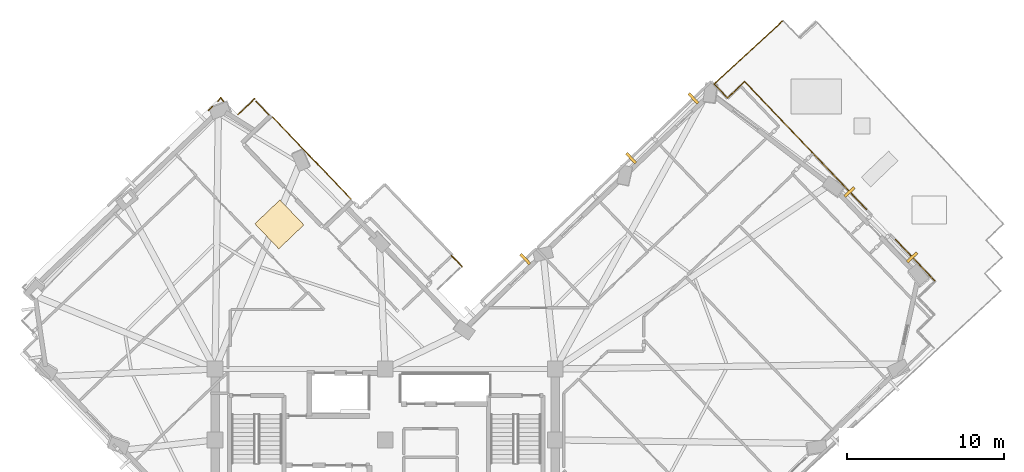
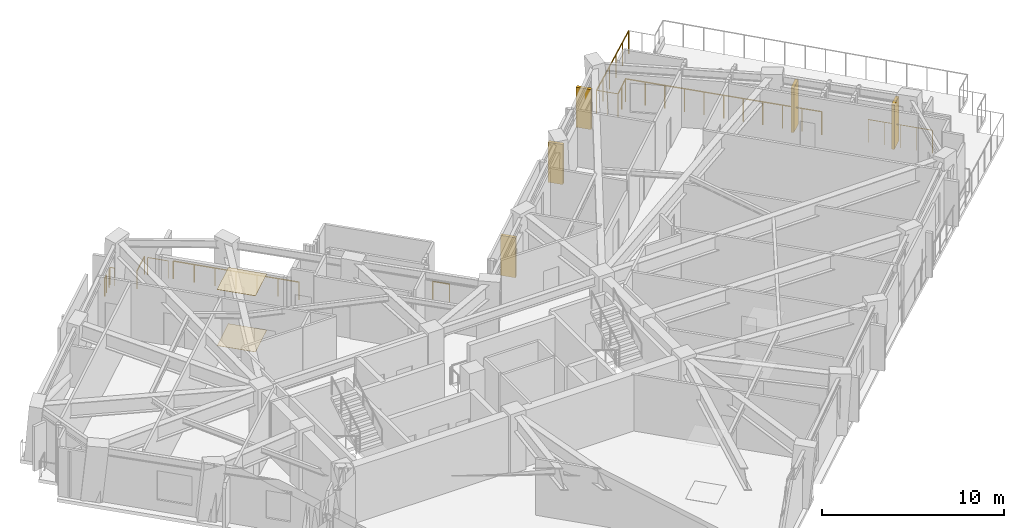
# One storey, part 16 of 17: 11 railings, 5 shading devices, 2 coverings.
"""IFC4 building model written with IfcOpenShell, lengths in metres."""

from ifc_helpers import new_model, si_unit, direction, frame, origin, origin_2d, place, context, subcontext, project, spatial, rectangle, circle, extrude, material, layer, layer_set, type_object, element, save


model = new_model("IFC4")

# Units and contexts
model_context = context("Model", 3, precision=1e-05, world=origin(), true_north=direction((0.0, 1.0)))
body_context = subcontext(model_context, "Body", "Model", "MODEL_VIEW")
ifc_project = project(units=[si_unit("LENGTHUNIT", "METRE"), si_unit("AREAUNIT", "SQUARE_METRE"), si_unit("VOLUMEUNIT", "CUBIC_METRE"), si_unit("PLANEANGLEUNIT", "RADIAN"), si_unit("MASSUNIT", "GRAM", prefix="KILO")], contexts=[model_context])

# Site, building, storey
site_placement = place(None, origin())
site = spatial("IfcSite", under=ifc_project, at=site_placement, CompositionType="ELEMENT")
building_placement = place(site_placement, origin())
building = spatial("IfcBuilding", under=site, at=building_placement, Name="Gaonmaruhae Medical Tower", CompositionType="ELEMENT")
storey_placement = place(building_placement, frame((0.0, 0.0, 211.199951171875)))
storey = spatial("IfcBuildingStorey", under=building, at=storey_placement, Name="L50", CompositionType="ELEMENT", Elevation=211.199951171875)

# Coverings
ifc_material_1 = material(Name="Acoustic mineral ceiling tile", Category="finish")
ifc_layer_1 = layer(ifc_material_1, 0.02490234375)
ifc_layer_set_1 = layer_set([ifc_layer_1], Name="Acoustic mineral ceiling tile")
covering_type_1 = type_object("IfcCoveringType", Name="CLG-01 Antimicrobial Acoustic Mineral Ceiling", PredefinedType="CEILING", material=ifc_layer_set_1)
covering_1_placement = place(storey_placement, frame((18.081298828125, 25.986083984375, 3.755126953125), z_axis=(0.0, 0.0, 1.0), x_axis=(0.72296714591, 0.690882411077, 0.0)))
element("IfcCovering", 1, at=covering_1_placement, inside=storey, type_object=covering_type_1, Name="L50 Clinical Corridor Acoustic Ceiling", PredefinedType="CEILING", context=body_context, shape_type="SweptSolid", body=[
    extrude(rectangle(XDim=2.199951171875, YDim=2.199951171875, at=origin_2d()), origin(), (0.0, 0.0, 1.0), 0.02490234375),
])
ifc_material_2 = material(Name="Seamless clinical vinyl flooring", Category="finish")
ifc_layer_2 = layer(ifc_material_2, 0.014892578125)
ifc_layer_set_2 = layer_set([ifc_layer_2], Name="Seamless clinical vinyl flooring")
covering_type_2 = type_object("IfcCoveringType", Name="FLR-01 Seamless Clinical Antistatic Vinyl Flooring", PredefinedType="FLOORING", material=ifc_layer_set_2)
covering_2_placement = place(storey_placement, frame((18.081298828125, 25.986083984375, 0.00048828125), z_axis=(0.0, 0.0, 1.0), x_axis=(0.72296714591, 0.690882411077, 0.0)))
element("IfcCovering", 2, at=covering_2_placement, inside=storey, type_object=covering_type_2, Name="L50 Clinical Corridor Vinyl Flooring", PredefinedType="FLOORING", context=body_context, shape_type="SweptSolid", body=[
    extrude(rectangle(XDim=2.199951171875, YDim=2.199951171875, at=origin_2d()), origin(), (0.0, 0.0, 1.0), 0.014892578125),
])

# Railings
ifc_material_3 = material(Name="Stainless steel 316L and laminated safety glass", Category="steel")
ifc_layer_3 = layer(ifc_material_3, 0.080078125)
ifc_layer_set_3 = layer_set([ifc_layer_3], Name="Stainless steel 316L and laminated safety glass")
railing_type_1 = type_object("IfcRailingType", Name="GD-120 Outdoor Terrace Safety Glass & Steel Balustrade", PredefinedType="BALUSTRADE", material=ifc_layer_set_3)
railing_1_placement = place(storey_placement, frame((22.629638671875, 27.59521484375, 0.0)))
element("IfcRailing", 3, at=railing_1_placement, inside=storey, type_object=railing_type_1, Name="L50 Terrace Safety Guard RL-SLB-L50-TER-02", PredefinedType="BALUSTRADE", context=body_context, shape_type="SweptSolid", body=[
    extrude(circle(Radius=0.02392578125, at=origin_2d()), frame((0.0, 0.0, 1.17578125), z_axis=(-0.690868406427, 0.722980528784, 0.0), x_axis=(-0.722980528784, -0.690868406427, 0.0)), (0.0, 0.0, 1.0), 7.19970703125),
    extrude(circle(Radius=0.02099609375, at=origin_2d()), origin(), (0.0, 0.0, 1.0), 1.15185546875),
    extrude(circle(Radius=0.02099609375, at=origin_2d()), frame((-0.8291015625, 0.86767578125, 0.0)), (0.0, 0.0, 1.0), 1.15185546875),
    extrude(circle(Radius=0.02099609375, at=origin_2d()), frame((-1.657958984375, 1.735107421875, 0.0)), (0.0, 0.0, 1.0), 1.15185546875),
    extrude(circle(Radius=0.02099609375, at=origin_2d()), frame((-2.487060546875, 2.6025390625, 0.0)), (0.0, 0.0, 1.0), 1.15185546875),
    extrude(circle(Radius=0.02099609375, at=origin_2d()), frame((-3.316162109375, 3.47021484375, 0.0)), (0.0, 0.0, 1.0), 1.15185546875),
    extrude(circle(Radius=0.02099609375, at=origin_2d()), frame((-4.14501953125, 4.337890625, 0.0)), (0.0, 0.0, 1.0), 1.15185546875),
    extrude(circle(Radius=0.02099609375, at=origin_2d()), frame((-4.97412109375, 5.205322265625, 0.0)), (0.0, 0.0, 1.0), 1.15185546875),
])
railing_2_placement = place(storey_placement, frame((13.575927734375, 33.231689453125, 0.0)))
element("IfcRailing", 4, at=railing_2_placement, inside=storey, type_object=railing_type_1, Name="L50 Perimeter Slab Edge Safety Balustrade 09", PredefinedType="BALUSTRADE", context=body_context, shape_type="SweptSolid", body=[
    extrude(circle(Radius=0.02392578125, at=origin_2d()), frame((0.0, 0.0, 1.17578125), z_axis=(0.723142723329, 0.69069863305, 0.0), x_axis=(-0.69069863305, 0.723142723329, 0.0)), (0.0, 0.0, 1.0), 0.338623046875),
    extrude(circle(Radius=0.02099609375, at=origin_2d()), origin(), (0.0, 0.0, 1.0), 1.15185546875),
    extrude(circle(Radius=0.02099609375, at=origin_2d()), frame((0.244873046875, 0.23388671875, 0.0)), (0.0, 0.0, 1.0), 1.15185546875),
])
railing_3_placement = place(storey_placement, frame((15.459228515625, 32.95654296875, 0.0)))
element("IfcRailing", 5, at=railing_3_placement, inside=storey, type_object=railing_type_1, Name="L50 Perimeter Slab Edge Safety Balustrade 10", PredefinedType="BALUSTRADE", context=body_context, shape_type="SweptSolid", body=[
    extrude(circle(Radius=0.02392578125, at=origin_2d()), frame((0.0, 0.0, 1.17578125), z_axis=(0.723059362607, 0.69078589892, 0.0), x_axis=(-0.69078589892, 0.723059362607, 0.0)), (0.0, 0.0, 1.0), 1.4599609375),
    extrude(circle(Radius=0.02099609375, at=origin_2d()), origin(), (0.0, 0.0, 1.0), 1.15185546875),
    extrude(circle(Radius=0.02099609375, at=origin_2d()), frame((1.0556640625, 1.008544921875, 0.0)), (0.0, 0.0, 1.0), 1.15185546875),
])
railing_4_placement = place(storey_placement, frame((16.60986328125, 33.793212890625, 0.0)))
element("IfcRailing", 6, at=railing_4_placement, inside=storey, type_object=railing_type_1, Name="L50 Perimeter Slab Edge Safety Balustrade 11", PredefinedType="BALUSTRADE", context=body_context, shape_type="SweptSolid", body=[
    extrude(circle(Radius=0.02392578125, at=origin_2d()), frame((0.0, 0.0, 1.17578125), z_axis=(0.690997141986, -0.722857489251, 0.0), x_axis=(0.722857489251, 0.690997141986, 0.0)), (0.0, 0.0, 1.0), 1.18017578125),
    extrude(circle(Radius=0.02099609375, at=origin_2d()), origin(), (0.0, 0.0, 1.0), 1.15185546875),
    extrude(circle(Radius=0.02099609375, at=origin_2d()), frame((0.8154296875, -0.85302734375, 0.0)), (0.0, 0.0, 1.0), 1.15185546875),
])
railing_5_placement = place(storey_placement, frame((29.01953125, 23.99169921875, 0.0)))
element("IfcRailing", 7, at=railing_5_placement, inside=storey, type_object=railing_type_1, Name="L50 Perimeter Slab Edge Safety Balustrade 12", PredefinedType="BALUSTRADE", context=body_context, shape_type="SweptSolid", body=[
    extrude(circle(Radius=0.02392578125, at=origin_2d()), frame((0.0, 0.0, 1.17578125), z_axis=(0.690905030928, -0.722945529234, 0.0), x_axis=(0.722945529234, 0.690905030928, 0.0)), (0.0, 0.0, 1.0), 0.960205078125),
    extrude(circle(Radius=0.02099609375, at=origin_2d()), origin(), (0.0, 0.0, 1.0), 1.15185546875),
    extrude(circle(Radius=0.02099609375, at=origin_2d()), frame((0.663330078125, -0.694091796875, 0.0)), (0.0, 0.0, 1.0), 1.15185546875),
])
railing_6_placement = place(storey_placement, frame((14.177001953125, 33.805908203125, 0.0)))
element("IfcRailing", 8, at=railing_6_placement, inside=storey, type_object=railing_type_1, Name="L50 Perimeter Corner Safety Balustrade 17", PredefinedType="BALUSTRADE", context=body_context, shape_type="SweptSolid", body=[
    extrude(circle(Radius=0.02392578125, at=origin_2d()), frame((0.0, 0.0, 1.17578125), z_axis=(0.633052681326, 0.774108715017, 0.0), x_axis=(-0.774108715017, 0.633052681326, 0.0)), (0.0, 0.0, 1.0), 0.287353515625),
    extrude(circle(Radius=0.02392578125, at=origin_2d()), frame((0.181884765625, 0.222412109375, 1.17578125), z_axis=(0.597684971012, -0.801731049309, 0.0), x_axis=(0.801731049309, 0.597684971012, 0.0)), (0.0, 0.0, 1.0), 0.287109375),
    extrude(circle(Radius=0.02099609375, at=origin_2d()), origin(), (0.0, 0.0, 1.0), 1.15185546875),
    extrude(circle(Radius=0.02099609375, at=origin_2d()), frame((0.181884765625, 0.222412109375, 0.0)), (0.0, 0.0, 1.0), 1.15185546875),
    extrude(circle(Radius=0.02099609375, at=origin_2d()), frame((0.353515625, -0.0078125, 0.0)), (0.0, 0.0, 1.0), 1.15185546875),
])
ifc_layer_4 = layer(ifc_material_3, 0.080078125)
ifc_layer_set_4 = layer_set([ifc_layer_4], Name="Stainless steel 316L and laminated safety glass")
railing_type_2 = type_object("IfcRailingType", Name="GD-155 Planter-Edge Raised Safety Balustrade", PredefinedType="BALUSTRADE", material=ifc_layer_set_4)
railing_7_placement = place(storey_placement, frame((59.742919921875, 22.367919921875, 0.0)))
element("IfcRailing", 9, at=railing_7_placement, inside=storey, type_object=railing_type_2, Name="L50 Terrace Safety Guard RL-SLB-L50-SKYG1-13A", PredefinedType="BALUSTRADE", context=body_context, shape_type="SweptSolid", body=[
    extrude(circle(Radius=0.02392578125, at=origin_2d()), frame((0.0, 0.0, 1.52587890625), z_axis=(-0.690909597338, 0.722941165176, 0.0), x_axis=(-0.722941165176, -0.690909597338, 0.0)), (0.0, 0.0, 1.0), 3.666015625),
    extrude(circle(Radius=0.02099609375, at=origin_2d()), origin(), (0.0, 0.0, 1.0), 1.501953125),
    extrude(circle(Radius=0.02099609375, at=origin_2d()), frame((-0.63330078125, 0.66259765625, 0.0)), (0.0, 0.0, 1.0), 1.501953125),
    extrude(circle(Radius=0.02099609375, at=origin_2d()), frame((-1.2666015625, 1.3251953125, 0.0)), (0.0, 0.0, 1.0), 1.501953125),
    extrude(circle(Radius=0.02099609375, at=origin_2d()), frame((-1.899658203125, 1.98779296875, 0.0)), (0.0, 0.0, 1.0), 1.501953125),
    extrude(circle(Radius=0.02099609375, at=origin_2d()), frame((-2.532958984375, 2.650390625, 0.0)), (0.0, 0.0, 1.0), 1.501953125),
])
railing_8_placement = place(storey_placement, frame((55.369384765625, 26.944091796875, 0.0)))
element("IfcRailing", 10, at=railing_8_placement, inside=storey, type_object=railing_type_2, Name="L50 Terrace Safety Guard RL-SLB-L50-SKYG1-13B", PredefinedType="BALUSTRADE", context=body_context, shape_type="SweptSolid", body=[
    extrude(circle(Radius=0.02392578125, at=origin_2d()), frame((0.0, 0.0, 1.52587890625), z_axis=(-0.690873456312, 0.722975703163, 0.0), x_axis=(-0.722975703163, -0.690873456312, 0.0)), (0.0, 0.0, 1.0), 11.2099609375),
    extrude(circle(Radius=0.02099609375, at=origin_2d()), origin(), (0.0, 0.0, 1.0), 1.501953125),
    extrude(circle(Radius=0.02099609375, at=origin_2d()), frame((-0.7744140625, 0.810546875, 0.0)), (0.0, 0.0, 1.0), 1.501953125),
    extrude(circle(Radius=0.02099609375, at=origin_2d()), frame((-1.548828125, 1.620849609375, 0.0)), (0.0, 0.0, 1.0), 1.501953125),
    extrude(circle(Radius=0.02099609375, at=origin_2d()), frame((-2.323486328125, 2.431396484375, 0.0)), (0.0, 0.0, 1.0), 1.501953125),
    extrude(circle(Radius=0.02099609375, at=origin_2d()), frame((-3.097900390625, 3.24169921875, 0.0)), (0.0, 0.0, 1.0), 1.501953125),
    extrude(circle(Radius=0.02099609375, at=origin_2d()), frame((-3.872314453125, 4.05224609375, 0.0)), (0.0, 0.0, 1.0), 1.501953125),
    extrude(circle(Radius=0.02099609375, at=origin_2d()), frame((-4.646728515625, 4.86279296875, 0.0)), (0.0, 0.0, 1.0), 1.501953125),
    extrude(circle(Radius=0.02099609375, at=origin_2d()), frame((-5.421142578125, 5.673095703125, 0.0)), (0.0, 0.0, 1.0), 1.501953125),
    extrude(circle(Radius=0.02099609375, at=origin_2d()), frame((-6.19580078125, 6.483642578125, 0.0)), (0.0, 0.0, 1.0), 1.501953125),
    extrude(circle(Radius=0.02099609375, at=origin_2d()), frame((-6.97021484375, 7.2939453125, 0.0)), (0.0, 0.0, 1.0), 1.501953125),
    extrude(circle(Radius=0.02099609375, at=origin_2d()), frame((-7.74462890625, 8.1044921875, 0.0)), (0.0, 0.0, 1.0), 1.501953125),
])
railing_9_placement = place(storey_placement, frame((47.624755859375, 35.048583984375, 0.0)))
element("IfcRailing", 11, at=railing_9_placement, inside=storey, type_object=railing_type_2, Name="L50 Terrace Safety Guard RL-SLB-L50-SKYG1-14", PredefinedType="BALUSTRADE", context=body_context, shape_type="SweptSolid", body=[
    extrude(circle(Radius=0.02392578125, at=origin_2d()), frame((0.0, 0.0, 1.52587890625), z_axis=(-0.722956366413, -0.690893691, 0.0), x_axis=(0.690893691, -0.722956366413, 0.0)), (0.0, 0.0, 1.0), 1.5),
    extrude(circle(Radius=0.02099609375, at=origin_2d()), origin(), (0.0, 0.0, 1.0), 1.501953125),
    extrude(circle(Radius=0.02099609375, at=origin_2d()), frame((-0.542236328125, -0.51806640625, 0.0)), (0.0, 0.0, 1.0), 1.501953125),
    extrude(circle(Radius=0.02099609375, at=origin_2d()), frame((-1.08447265625, -1.036376953125, 0.0)), (0.0, 0.0, 1.0), 1.501953125),
])
railing_10_placement = place(storey_placement, frame((46.540283203125, 34.01220703125, 0.0)))
element("IfcRailing", 12, at=railing_10_placement, inside=storey, type_object=railing_type_2, Name="L50 Terrace Safety Guard RL-SLB-L50-SKYG1-15", PredefinedType="BALUSTRADE", context=body_context, shape_type="SweptSolid", body=[
    extrude(circle(Radius=0.02392578125, at=origin_2d()), frame((0.0, 0.0, 1.52587890625), z_axis=(-0.690804274229, 0.723041807026, 0.0), x_axis=(-0.723041807026, -0.690804274229, 0.0)), (0.0, 0.0, 1.0), 1.21923828125),
    extrude(circle(Radius=0.02099609375, at=origin_2d()), origin(), (0.0, 0.0, 1.0), 1.501953125),
    extrude(circle(Radius=0.02099609375, at=origin_2d()), frame((-0.421142578125, 0.44091796875, 0.0)), (0.0, 0.0, 1.0), 1.501953125),
    extrude(circle(Radius=0.02099609375, at=origin_2d()), frame((-0.84228515625, 0.881591796875, 0.0)), (0.0, 0.0, 1.0), 1.501953125),
])
railing_11_placement = place(storey_placement, frame((45.697998046875, 34.893798828125, 0.0)))
element("IfcRailing", 13, at=railing_11_placement, inside=storey, type_object=railing_type_2, Name="L50 Terrace Safety Guard RL-SLB-L50-SKYG1-16", PredefinedType="BALUSTRADE", context=body_context, shape_type="SweptSolid", body=[
    extrude(circle(Radius=0.02392578125, at=origin_2d()), frame((0.0, 0.0, 1.52587890625), z_axis=(0.73433404577, 0.678788265384, 0.0), x_axis=(-0.678788265384, 0.73433404577, 0.0)), (0.0, 0.0, 1.0), 5.96435546875),
    extrude(circle(Radius=0.02099609375, at=origin_2d()), origin(), (0.0, 0.0, 1.0), 1.501953125),
    extrude(circle(Radius=0.02099609375, at=origin_2d()), frame((0.8759765625, 0.809814453125, 0.0)), (0.0, 0.0, 1.0), 1.501953125),
    extrude(circle(Radius=0.02099609375, at=origin_2d()), frame((1.751953125, 1.619384765625, 0.0)), (0.0, 0.0, 1.0), 1.501953125),
    extrude(circle(Radius=0.02099609375, at=origin_2d()), frame((2.6279296875, 2.42919921875, 0.0)), (0.0, 0.0, 1.0), 1.501953125),
    extrude(circle(Radius=0.02099609375, at=origin_2d()), frame((3.50390625, 3.23876953125, 0.0)), (0.0, 0.0, 1.0), 1.501953125),
    extrude(circle(Radius=0.02099609375, at=origin_2d()), frame((4.3798828125, 4.048583984375, 0.0)), (0.0, 0.0, 1.0), 1.501953125),
])

# Shading devices
ifc_material_4 = material(Name="Pigmented coral precast concrete C45/55", Category="concrete")
shading_device_type = type_object("IfcShadingDeviceType", Name="SD-FIN1 Tower Vertical Coral Precast Shading Fin", PredefinedType="USERDEFINED", material=ifc_material_4)
for number, where, z_axis, x_axis, name in (
    (14, (54.286376953125, 28.04150390625, 0.132568359375), (0.0, 0.0, 1.0), (0.690882411077, -0.72296714591, 0.0), "L50 Vertical Coral Precast Shading Fin E01"),
    (15, (58.25634765625, 23.88720703125, 0.132568359375), (0.0, 0.0, 1.0), (0.690882411077, -0.72296714591, 0.0), "L50 Vertical Coral Precast Shading Fin E01B"),
):
    element("IfcShadingDevice", number, at=place(storey_placement, frame(where, z_axis=z_axis, x_axis=x_axis)), inside=storey, type_object=shading_device_type, Name=name, ObjectType="FIN", PredefinedType="USERDEFINED", context=body_context, shape_type="SweptSolid", body=[
        extrude(rectangle(XDim=0.179931640625, YDim=0.85009765625, at=origin_2d()), origin(), (0.0, 0.0, 1.0), 3.0),
    ])
for number, where, z_axis, x_axis, name in (
    (16, (40.412109375, 30.1962890625, 0.0400390625), (0.0, 0.0, 1.0), (0.72296714591, 0.690882411077, 0.0), "L50 Vertical Coral Precast Shading Fin E03"),
    (17, (44.373779296875, 33.982177734375, 0.0400390625), (0.0, 0.0, 1.0), (0.72296714591, 0.690882411077, 0.0), "L50 Vertical Coral Precast Shading Fin E03B"),
    (18, (33.696044921875, 23.7783203125, 0.0400390625), (0.0, 0.0, 1.0), (0.72296714591, 0.690882411077, 0.0), "L50 Vertical Coral Precast Shading Fin EN02B"),
):
    element("IfcShadingDevice", number, at=place(storey_placement, frame(where, z_axis=z_axis, x_axis=x_axis)), inside=storey, type_object=shading_device_type, Name=name, ObjectType="FIN", PredefinedType="USERDEFINED", context=body_context, shape_type="SweptSolid", body=[
        extrude(rectangle(XDim=0.179931640625, YDim=0.85009765625, at=origin_2d()), origin(), (0.0, 0.0, 1.0), 2.68505859375),
    ])

save(model, "model.ifc")
